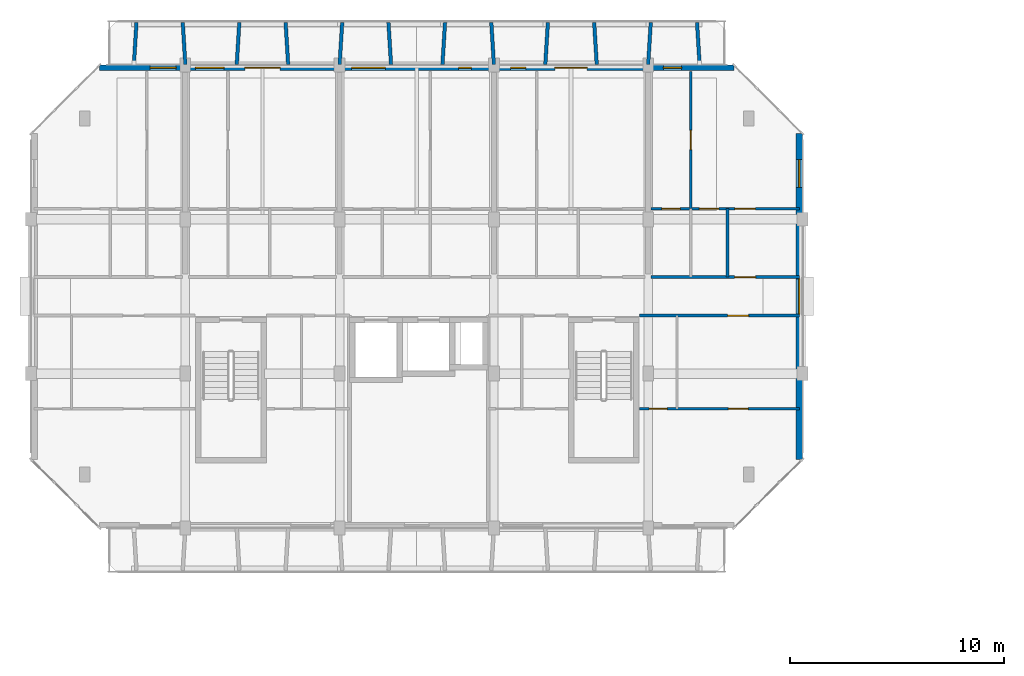
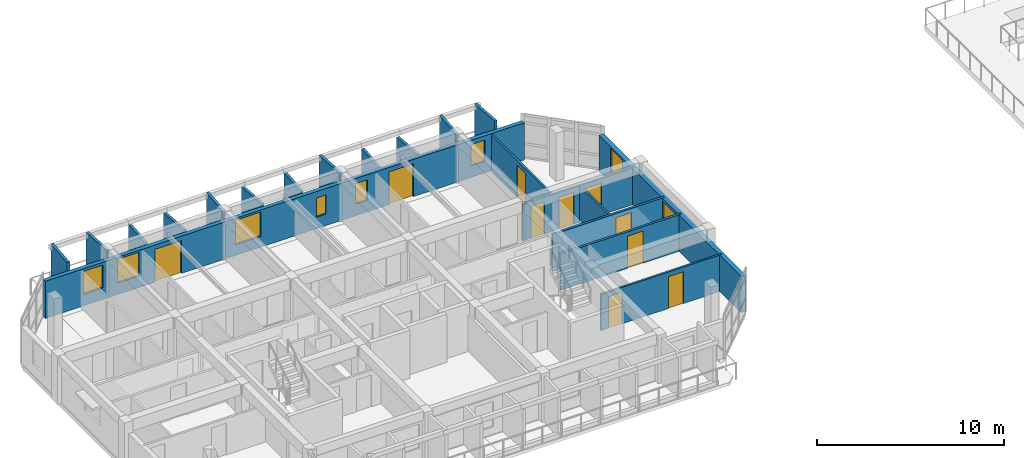
# One storey, part 38 of 64: 20 walls, 10 doors, 8 windows, 18 openings.
"""IFC4 building model written with IfcOpenShell, lengths in metres."""

from ifc_helpers import new_model, si_unit, direction, frame, frame_2d, origin, place, context, subcontext, project, spatial, rectangle, extrude, material, layer, layer_set, type_object, element, fill, save


model = new_model("IFC4")

# Units and contexts
model_context = context("Model", 3, precision=1e-05, world=origin(), true_north=direction((0.0, 1.0)))
body_context = subcontext(model_context, "Body", "Model", "MODEL_VIEW")
ifc_project = project(units=[si_unit("LENGTHUNIT", "METRE"), si_unit("AREAUNIT", "SQUARE_METRE"), si_unit("VOLUMEUNIT", "CUBIC_METRE"), si_unit("PLANEANGLEUNIT", "RADIAN"), si_unit("MASSUNIT", "GRAM", prefix="KILO")], contexts=[model_context])

# Site, building, storey
site_placement = place(None, origin())
site = spatial("IfcSite", under=ifc_project, at=site_placement, CompositionType="ELEMENT")
building_placement = place(site_placement, origin())
building = spatial("IfcBuilding", under=site, at=building_placement, Name="Ochrevale Crest", CompositionType="ELEMENT")
storey_placement = place(building_placement, frame((0.0, 0.0, 8.699951171875)))
storey = spatial("IfcBuildingStorey", under=building, at=storey_placement, Name="L02", CompositionType="ELEMENT", Elevation=8.699951171875)

# Wall, opening, door
ifc_material_1 = material(Name="Gypsum plasterboard", Category="gypsum")
ifc_layer_1 = layer(ifc_material_1, 0.139892578125)
ifc_layer_set_1 = layer_set([ifc_layer_1], Name="Gypsum plasterboard")
wall_type_1 = type_object("IfcWallType", Name="WL-COR-140", PredefinedType="PARTITIONING", material=ifc_layer_set_1)
wall_1_placement = place(storey_placement, frame((28.93994140625, 83.699951171875, 0.0), z_axis=(0.0, 0.0, 1.0), x_axis=(1.0, 0.0, 0.0)))
wall_1 = element("IfcWall", 1, at=wall_1_placement, inside=storey, type_object=wall_type_1, Name="Apartment B-L02-U5 corridor wall", PredefinedType="PARTITIONING", context=body_context, shape_type="SweptSolid", body=[
    extrude(rectangle(XDim=6.920166015625, YDim=0.139892578125, at=frame_2d((3.4599609375, 0.0))), origin(), (0.0, 0.0, 1.0), 2.380126953125),
])
opening_1_placement = place(wall_1_placement, frame((3.89501953125, 0.0, 0.0)))
opening_1 = element("IfcOpeningElement", 2, at=opening_1_placement, cuts=wall_1, Name="Opening FD01", PredefinedType="OPENING", context=body_context, shape_type="SweptSolid", body=[
    extrude(rectangle(XDim=0.97998046875, YDim=2.10009765625, at=frame_2d((0.489990234375, 1.050048828125))), frame((0.0, 0.080078125, 0.0), z_axis=(0.0, -1.0, 0.0), x_axis=(1.0, 0.0, 0.0)), (0.0, 0.0, 1.0), 0.159912109375),
])
ifc_material_2 = material(Name="Solid-core FSC hardwood", Category="wood")
door_type_1 = type_object("IfcDoorType", Name="DR-APT-950", OperationType="NOTDEFINED", PredefinedType="DOOR", material=ifc_material_2)
door_1_placement = place(opening_1_placement, origin())
door_1 = element("IfcDoor", 3, at=door_1_placement, inside=storey, type_object=door_type_1, Name="Apartment B-L02-U5 entrance door", OperationType="SINGLE_SWING_LEFT", OverallHeight=2.10009765625, OverallWidth=0.97998046875, PredefinedType="DOOR", context=body_context, shape_type="SweptSolid", body=[
    extrude(rectangle(XDim=0.97998046875, YDim=2.10009765625, at=frame_2d((0.489990234375, 1.050048828125))), frame((0.0, 0.02490234375, 0.0), z_axis=(0.0, -1.0, 0.0), x_axis=(1.0, 0.0, 0.0)), (0.0, 0.0, 1.0), 0.050048828125),
])
fill(opening_1, door_1)

wall_2_placement = place(storey_placement, frame((28.389892578125, 81.89990234375, 0.0), z_axis=(0.0, 0.0, 1.0), x_axis=(1.0, 0.0, 0.0)))
wall_2 = element("IfcWall", 4, at=wall_2_placement, inside=storey, type_object=wall_type_1, Name="Suite B-L02-CE corridor wall", PredefinedType="PARTITIONING", context=body_context, shape_type="SweptSolid", body=[
    extrude(rectangle(XDim=7.47021484375, YDim=0.139892578125, at=frame_2d((3.735107421875, 0.0))), origin(), (0.0, 0.0, 1.0), 2.380126953125),
])
opening_2_placement = place(wall_2_placement, frame((4.1201171875, 0.0, 0.0)))
opening_2 = element("IfcOpeningElement", 5, at=opening_2_placement, cuts=wall_2, Name="Opening FD01", PredefinedType="OPENING", context=body_context, shape_type="SweptSolid", body=[
    extrude(rectangle(XDim=0.97998046875, YDim=2.10009765625, at=frame_2d((0.489990234375, 1.050048828125))), frame((0.0, 0.080078125, 0.0), z_axis=(0.0, -1.0, 0.0), x_axis=(1.0, 0.0, 0.0)), (0.0, 0.0, 1.0), 0.159912109375),
])
door_2_placement = place(opening_2_placement, origin())
door_2 = element("IfcDoor", 6, at=door_2_placement, inside=storey, type_object=door_type_1, Name="Suite B-L02-CE entrance door", OperationType="SINGLE_SWING_LEFT", OverallHeight=2.10009765625, OverallWidth=0.97998046875, PredefinedType="DOOR", context=body_context, shape_type="SweptSolid", body=[
    extrude(rectangle(XDim=0.97998046875, YDim=2.10009765625, at=frame_2d((0.489990234375, 1.050048828125))), frame((0.0, 0.02490234375, 0.0), z_axis=(0.0, -1.0, 0.0), x_axis=(1.0, 0.0, 0.0)), (0.0, 0.0, 1.0), 0.050048828125),
])
fill(opening_2, door_2)

# Wall, openings, windows
ifc_material_3 = material(Name="Clay face brickwork", Category="masonry")
ifc_layer_2 = layer(ifc_material_3, 0.2900390625)
ifc_layer_set_2 = layer_set([ifc_layer_2], Name="Clay face brickwork")
wall_type_2 = type_object("IfcWallType", Name="WL-EXT-BRICK-290", PredefinedType="SOLIDWALL", material=ifc_layer_set_2)
wall_3_placement = place(storey_placement, frame((35.85498046875, 75.199951171875, 0.0), z_axis=(0.0, 0.0, 1.0), x_axis=(0.0, 1.0, 0.0)))
wall_3 = element("IfcWall", 7, at=wall_3_placement, inside=storey, type_object=wall_type_2, Name="Block B L02 external facade wall E3", PredefinedType="SOLIDWALL", context=body_context, shape_type="SweptSolid", body=[
    extrude(rectangle(XDim=15.199951171875, YDim=0.2900390625, at=frame_2d((7.60009765625, 0.0))), origin(), (0.0, 0.0, 1.0), 2.380126953125),
])
opening_3_placement = place(wall_3_placement, frame((6.77490234375, 0.0, 1.050048828125)))
opening_3 = element("IfcOpeningElement", 8, at=opening_3_placement, cuts=wall_3, Name="Opening W19", PredefinedType="OPENING", context=body_context, shape_type="SweptSolid", body=[
    extrude(rectangle(XDim=1.64990234375, YDim=1.14990234375, at=frame_2d((0.824951171875, 0.574951171875))), frame((0.0, 0.155029296875, 0.0), z_axis=(0.0, -1.0, 0.0), x_axis=(1.0, 0.0, 0.0)), (0.0, 0.0, 1.0), 0.31005859375),
])
opening_4_placement = place(wall_3_placement, frame((12.68505859375, 0.0, 0.719970703125)))
opening_4 = element("IfcOpeningElement", 9, at=opening_4_placement, cuts=wall_3, Name="Opening W30", PredefinedType="OPENING", context=body_context, shape_type="SweptSolid", body=[
    extrude(rectangle(XDim=1.300048828125, YDim=1.550048828125, at=frame_2d((0.64990234375, 0.77490234375))), frame((0.0, 0.155029296875, 0.0), z_axis=(0.0, -1.0, 0.0), x_axis=(1.0, 0.0, 0.0)), (0.0, 0.0, 1.0), 0.31005859375),
])
ifc_material_4 = material(Name="Anodised aluminium 6063-T5 and low-E double glazing", Category="aluminium")
window_type_1 = type_object("IfcWindowType", Name="WIN-W19", PartitioningType="SINGLE_PANEL", PredefinedType="WINDOW", material=ifc_material_4)
window_1_placement = place(opening_3_placement, origin())
window_1 = element("IfcWindow", 10, at=window_1_placement, inside=storey, type_object=window_type_1, Name="Block B L02 corridor end daylight window E", OverallHeight=1.14990234375, OverallWidth=1.64990234375, PartitioningType="SINGLE_PANEL", PredefinedType="WINDOW", context=body_context, shape_type="SweptSolid", body=[
    extrude(rectangle(XDim=1.64990234375, YDim=1.14990234375, at=frame_2d((0.824951171875, 0.574951171875))), frame((0.0, 0.030029296875, 0.0), z_axis=(0.0, -1.0, 0.0), x_axis=(1.0, 0.0, 0.0)), (0.0, 0.0, 1.0), 0.06005859375),
])
fill(opening_3, window_1)
window_type_2 = type_object("IfcWindowType", Name="WIN-W30", PartitioningType="SINGLE_PANEL", PredefinedType="WINDOW", material=ifc_material_4)
window_2_placement = place(opening_4_placement, origin())
window_2 = element("IfcWindow", 11, at=window_2_placement, inside=storey, type_object=window_type_2, Name="Block B L02 side suite window E", OverallHeight=1.550048828125, OverallWidth=1.300048828125, PartitioningType="SINGLE_PANEL", PredefinedType="WINDOW", context=body_context, shape_type="SweptSolid", body=[
    extrude(rectangle(XDim=1.300048828125, YDim=1.550048828125, at=frame_2d((0.64990234375, 0.77490234375))), frame((0.0, 0.030029296875, 0.0), z_axis=(0.0, -1.0, 0.0), x_axis=(1.0, 0.0, 0.0)), (0.0, 0.0, 1.0), 0.06005859375),
])
fill(opening_4, window_2)

# Wall, openings, doors, windows
ifc_material_5 = material(Name="Precast concrete C40/50", Category="concrete")
ifc_layer_3 = layer(ifc_material_5, 0.25)
ifc_layer_set_3 = layer_set([ifc_layer_3], Name="Precast concrete C40/50")
wall_type_3 = type_object("IfcWallType", Name="WL-EXT-GOLD-250", PredefinedType="SOLIDWALL", material=ifc_layer_set_3)
wall_4_placement = place(storey_placement, frame((32.800048828125, 93.47509765625, 0.0), z_axis=(0.0, 0.0, 1.0), x_axis=(-1.0, 0.0, 0.0)))
wall_4 = element("IfcWall", 12, at=wall_4_placement, inside=storey, type_object=wall_type_3, Name="Block B L02 external facade wall E5", PredefinedType="SOLIDWALL", context=body_context, shape_type="SweptSolid", body=[
    extrude(rectangle(XDim=29.60009765625, YDim=0.25, at=frame_2d((14.800048828125, 0.0))), origin(), (0.0, 0.0, 1.0), 2.429931640625),
])
opening_5_placement = place(wall_4_placement, frame((22.824951171875, 0.0, 0.0), z_axis=(0.0, 0.0, 1.0), x_axis=(-1.0, 0.0, 0.0)))
opening_5 = element("IfcOpeningElement", 13, at=opening_5_placement, cuts=wall_4, Name="Opening BD02", PredefinedType="OPENING", context=body_context, shape_type="SweptSolid", body=[
    extrude(rectangle(XDim=1.64990234375, YDim=2.14990234375, at=frame_2d((0.824951171875, 1.074951171875))), frame((0.0, 0.135009765625, 0.0), z_axis=(0.0, -1.0, 0.0), x_axis=(1.0, 0.0, 0.0)), (0.0, 0.0, 1.0), 0.27001953125),
])
opening_6_placement = place(wall_4_placement, frame((8.35009765625, 0.0, 0.0), z_axis=(0.0, 0.0, 1.0), x_axis=(-1.0, 0.0, 0.0)))
opening_6 = element("IfcOpeningElement", 14, at=opening_6_placement, cuts=wall_4, Name="Opening BD01", PredefinedType="OPENING", context=body_context, shape_type="SweptSolid", body=[
    extrude(rectangle(XDim=1.5, YDim=2.14990234375, at=frame_2d((0.75, 1.074951171875))), frame((0.0, 0.135009765625, 0.0), z_axis=(0.0, -1.0, 0.0), x_axis=(1.0, 0.0, 0.0)), (0.0, 0.0, 1.0), 0.27001953125),
])
opening_7_placement = place(wall_4_placement, frame((26.02490234375, 0.0, 0.75)))
opening_7 = element("IfcOpeningElement", 15, at=opening_7_placement, cuts=wall_4, Name="Opening W06", PredefinedType="OPENING", context=body_context, shape_type="SweptSolid", body=[
    extrude(rectangle(XDim=1.219970703125, YDim=1.5, at=frame_2d((0.60986328125, 0.75))), frame((0.0, 0.135009765625, 0.0), z_axis=(0.0, -1.0, 0.0), x_axis=(1.0, 0.0, 0.0)), (0.0, 0.0, 1.0), 0.27001953125),
])
opening_8_placement = place(wall_4_placement, frame((23.794921875, 0.0, 0.75)))
opening_8 = element("IfcOpeningElement", 16, at=opening_8_placement, cuts=wall_4, Name="Opening W07", PredefinedType="OPENING", context=body_context, shape_type="SweptSolid", body=[
    extrude(rectangle(XDim=1.340087890625, YDim=1.550048828125, at=frame_2d((0.669921875, 0.77490234375))), frame((0.0, 0.135009765625, 0.0), z_axis=(0.0, -1.0, 0.0), x_axis=(1.0, 0.0, 0.0)), (0.0, 0.0, 1.0), 0.27001953125),
])
opening_9_placement = place(wall_4_placement, frame((16.264892578125, 0.0, 0.699951171875)))
opening_9 = element("IfcOpeningElement", 17, at=opening_9_placement, cuts=wall_4, Name="Opening W09", PredefinedType="OPENING", context=body_context, shape_type="SweptSolid", body=[
    extrude(rectangle(XDim=1.580078125, YDim=1.60009765625, at=frame_2d((0.7900390625, 0.800048828125))), frame((0.0, 0.135009765625, 0.0), z_axis=(0.0, -1.0, 0.0), x_axis=(1.0, 0.0, 0.0)), (0.0, 0.0, 1.0), 0.27001953125),
])
opening_10_placement = place(wall_4_placement, frame((12.2451171875, 0.0, 0.75)))
opening_10 = element("IfcOpeningElement", 18, at=opening_10_placement, cuts=wall_4, Name="Opening W01", PredefinedType="OPENING", context=body_context, shape_type="SweptSolid", body=[
    extrude(rectangle(XDim=0.60009765625, YDim=1.25, at=frame_2d((0.300048828125, 0.625))), frame((0.0, 0.135009765625, 0.0), z_axis=(0.0, -1.0, 0.0), x_axis=(1.0, 0.0, 0.0)), (0.0, 0.0, 1.0), 0.27001953125),
])
opening_11_placement = place(wall_4_placement, frame((9.705078125, 0.0, 0.75)))
opening_11 = element("IfcOpeningElement", 19, at=opening_11_placement, cuts=wall_4, Name="Opening W02", PredefinedType="OPENING", context=body_context, shape_type="SweptSolid", body=[
    extrude(rectangle(XDim=0.719970703125, YDim=1.35009765625, at=frame_2d((0.35986328125, 0.675048828125))), frame((0.0, 0.135009765625, 0.0), z_axis=(0.0, -1.0, 0.0), x_axis=(1.0, 0.0, 0.0)), (0.0, 0.0, 1.0), 0.27001953125),
])
opening_12_placement = place(wall_4_placement, frame((2.43994140625, 0.0, 0.75)))
opening_12 = element("IfcOpeningElement", 20, at=opening_12_placement, cuts=wall_4, Name="Opening W03", PredefinedType="OPENING", context=body_context, shape_type="SweptSolid", body=[
    extrude(rectangle(XDim=0.85009765625, YDim=1.39990234375, at=frame_2d((0.425048828125, 0.699951171875))), frame((0.0, 0.135009765625, 0.0), z_axis=(0.0, -1.0, 0.0), x_axis=(1.0, 0.0, 0.0)), (0.0, 0.0, 1.0), 0.27001953125),
])
ifc_material_6 = material(Name="Anodised aluminium 6063-T5 and toughened glass", Category="aluminium")
door_type_2 = type_object("IfcDoorType", Name="DR-BAL-1500", OperationType="NOTDEFINED", PredefinedType="DOOR", material=ifc_material_6)
door_3_placement = place(opening_6_placement, origin())
door_3 = element("IfcDoor", 21, at=door_3_placement, inside=storey, type_object=door_type_2, Name="Block B L02 balcony door N4", OperationType="SINGLE_SWING_LEFT", OverallHeight=2.14990234375, OverallWidth=1.5, PredefinedType="DOOR", context=body_context, shape_type="SweptSolid", body=[
    extrude(rectangle(XDim=1.5, YDim=2.14990234375, at=frame_2d((0.75, 1.074951171875))), frame((0.0, 0.02490234375, 0.0), z_axis=(0.0, -1.0, 0.0), x_axis=(1.0, 0.0, 0.0)), (0.0, 0.0, 1.0), 0.050048828125),
])
fill(opening_6, door_3)
door_type_3 = type_object("IfcDoorType", Name="DR-BAL-1650", OperationType="NOTDEFINED", PredefinedType="DOOR", material=ifc_material_6)
door_4_placement = place(opening_5_placement, origin())
door_4 = element("IfcDoor", 22, at=door_4_placement, inside=storey, type_object=door_type_3, Name="Block B L02 balcony door N2", OperationType="SINGLE_SWING_RIGHT", OverallHeight=2.14990234375, OverallWidth=1.64990234375, PredefinedType="DOOR", context=body_context, shape_type="SweptSolid", body=[
    extrude(rectangle(XDim=1.64990234375, YDim=2.14990234375, at=frame_2d((0.824951171875, 1.074951171875))), frame((0.0, 0.02490234375, 0.0), z_axis=(0.0, -1.0, 0.0), x_axis=(1.0, 0.0, 0.0)), (0.0, 0.0, 1.0), 0.050048828125),
])
fill(opening_5, door_4)
window_type_3 = type_object("IfcWindowType", Name="WIN-W01", PartitioningType="SINGLE_PANEL", PredefinedType="WINDOW", material=ifc_material_4)
window_3_placement = place(opening_10_placement, origin())
window_3 = element("IfcWindow", 23, at=window_3_placement, inside=storey, type_object=window_type_3, Name="Block B L02 Apartment B-L02-U3 Three Bedroom Family Living window", OverallHeight=1.25, OverallWidth=0.60009765625, PartitioningType="SINGLE_PANEL", PredefinedType="WINDOW", context=body_context, shape_type="SweptSolid", body=[
    extrude(rectangle(XDim=0.60009765625, YDim=1.25, at=frame_2d((0.300048828125, 0.625))), frame((0.0, 0.030029296875, 0.0), z_axis=(0.0, -1.0, 0.0), x_axis=(1.0, 0.0, 0.0)), (0.0, 0.0, 1.0), 0.06005859375),
])
fill(opening_10, window_3)
window_type_4 = type_object("IfcWindowType", Name="WIN-W02", PartitioningType="SINGLE_PANEL", PredefinedType="WINDOW", material=ifc_material_4)
window_4_placement = place(opening_11_placement, origin())
window_4 = element("IfcWindow", 24, at=window_4_placement, inside=storey, type_object=window_type_4, Name="Block B L02 Apartment B-L02-U4 Double Bedroom window", OverallHeight=1.35009765625, OverallWidth=0.719970703125, PartitioningType="SINGLE_PANEL", PredefinedType="WINDOW", context=body_context, shape_type="SweptSolid", body=[
    extrude(rectangle(XDim=0.719970703125, YDim=1.35009765625, at=frame_2d((0.35986328125, 0.675048828125))), frame((0.0, 0.030029296875, 0.0), z_axis=(0.0, -1.0, 0.0), x_axis=(1.0, 0.0, 0.0)), (0.0, 0.0, 1.0), 0.06005859375),
])
fill(opening_11, window_4)
window_type_5 = type_object("IfcWindowType", Name="WIN-W03", PartitioningType="SINGLE_PANEL", PredefinedType="WINDOW", material=ifc_material_4)
window_5_placement = place(opening_12_placement, origin())
window_5 = element("IfcWindow", 25, at=window_5_placement, inside=storey, type_object=window_type_5, Name="Block B L02 Apartment B-L02-U5 Master Bedroom window", OverallHeight=1.39990234375, OverallWidth=0.85009765625, PartitioningType="SINGLE_PANEL", PredefinedType="WINDOW", context=body_context, shape_type="SweptSolid", body=[
    extrude(rectangle(XDim=0.85009765625, YDim=1.39990234375, at=frame_2d((0.425048828125, 0.699951171875))), frame((0.0, 0.030029296875, 0.0), z_axis=(0.0, -1.0, 0.0), x_axis=(1.0, 0.0, 0.0)), (0.0, 0.0, 1.0), 0.06005859375),
])
fill(opening_12, window_5)
window_type_6 = type_object("IfcWindowType", Name="WIN-W06", PartitioningType="SINGLE_PANEL", PredefinedType="WINDOW", material=ifc_material_4)
window_6_placement = place(opening_7_placement, origin())
window_6 = element("IfcWindow", 26, at=window_6_placement, inside=storey, type_object=window_type_6, Name="Block B L02 Apartment B-L02-U1 Two Bedroom Living Room window", OverallHeight=1.5, OverallWidth=1.219970703125, PartitioningType="SINGLE_PANEL", PredefinedType="WINDOW", context=body_context, shape_type="SweptSolid", body=[
    extrude(rectangle(XDim=1.219970703125, YDim=1.5, at=frame_2d((0.60986328125, 0.75))), frame((0.0, 0.030029296875, 0.0), z_axis=(0.0, -1.0, 0.0), x_axis=(1.0, 0.0, 0.0)), (0.0, 0.0, 1.0), 0.06005859375),
])
fill(opening_7, window_6)
window_type_7 = type_object("IfcWindowType", Name="WIN-W07", PartitioningType="SINGLE_PANEL", PredefinedType="WINDOW", material=ifc_material_4)
window_7_placement = place(opening_8_placement, origin())
window_7 = element("IfcWindow", 27, at=window_7_placement, inside=storey, type_object=window_type_7, Name="Block B L02 Apartment B-L02-U2 Master Bedroom window", OverallHeight=1.550048828125, OverallWidth=1.340087890625, PartitioningType="SINGLE_PANEL", PredefinedType="WINDOW", context=body_context, shape_type="SweptSolid", body=[
    extrude(rectangle(XDim=1.340087890625, YDim=1.550048828125, at=frame_2d((0.669921875, 0.77490234375))), frame((0.0, 0.030029296875, 0.0), z_axis=(0.0, -1.0, 0.0), x_axis=(1.0, 0.0, 0.0)), (0.0, 0.0, 1.0), 0.06005859375),
])
fill(opening_8, window_7)
window_type_8 = type_object("IfcWindowType", Name="WIN-W09", PartitioningType="SINGLE_PANEL", PredefinedType="WINDOW", material=ifc_material_4)
window_8_placement = place(opening_9_placement, origin())
window_8 = element("IfcWindow", 28, at=window_8_placement, inside=storey, type_object=window_type_8, Name="Block B L02 Apartment B-L02-U3 Twin Bedroom window", OverallHeight=1.60009765625, OverallWidth=1.580078125, PartitioningType="SINGLE_PANEL", PredefinedType="WINDOW", context=body_context, shape_type="SweptSolid", body=[
    extrude(rectangle(XDim=1.580078125, YDim=1.60009765625, at=frame_2d((0.7900390625, 0.800048828125))), frame((0.0, 0.030029296875, 0.0), z_axis=(0.0, -1.0, 0.0), x_axis=(1.0, 0.0, 0.0)), (0.0, 0.0, 1.0), 0.06005859375),
])
fill(opening_9, window_8)

# Walls
ifc_layer_4 = layer(ifc_material_5, 0.1650390625)
ifc_layer_set_4 = layer_set([ifc_layer_4], Name="Precast concrete C40/50")
wall_type_4 = type_object("IfcWallType", Name="WL-HC-CHEEK-165", PredefinedType="ELEMENTEDWALL", material=ifc_layer_set_4)
for number, where, z_axis, x_axis, name in (
    (29, (4.800048828125, 93.6201171875, 0.0), (0.0, 0.0, 1.0), (0.061046865508, 0.998134900808, 0.0), "Block B L02 N precast honeycomb cheek 1"),
    (30, (7.199951171875, 93.6201171875, 0.0), (0.0, 0.0, 1.0), (-0.061046865508, 0.998134900808, 0.0), "Block B L02 N precast honeycomb cheek 2"),
):
    element("IfcWall", number, at=place(storey_placement, frame(where, z_axis=z_axis, x_axis=x_axis)), inside=storey, type_object=wall_type_4, Name=name, PredefinedType="ELEMENTEDWALL", context=body_context, shape_type="SweptSolid", body=[
        extrude(rectangle(XDim=1.963623046875, YDim=0.1650390625, at=frame_2d((0.98193359375, 0.0))), origin(), (0.0, 0.0, 1.0), 2.949951171875),
    ])
for number, where, z_axis, x_axis, name in (
    (31, (9.60009765625, 93.6201171875, 0.0), (0.0, 0.0, 1.0), (0.061046865508, 0.998134900808, 0.0), "Block B L02 N precast honeycomb cheek 3"),
    (32, (12.0, 93.6201171875, 0.0), (0.0, 0.0, 1.0), (-0.061170732449, 0.998127317276, 0.0), "Block B L02 N precast honeycomb cheek 4"),
):
    element("IfcWall", number, at=place(storey_placement, frame(where, z_axis=z_axis, x_axis=x_axis)), inside=storey, type_object=wall_type_4, Name=name, PredefinedType="ELEMENTEDWALL", context=body_context, shape_type="SweptSolid", body=[
        extrude(rectangle(XDim=1.963623046875, YDim=0.1650390625, at=frame_2d((0.98193359375, 0.0))), origin(), (0.0, 0.0, 1.0), 2.550048828125),
    ])
wall_5_placement = place(storey_placement, frame((14.39990234375, 93.6201171875, 0.0), z_axis=(0.0, 0.0, 1.0), x_axis=(0.061170732449, 0.998127317276, 0.0)))
element("IfcWall", 33, at=wall_5_placement, inside=storey, type_object=wall_type_4, Name="Block B L02 N precast honeycomb cheek 5", PredefinedType="ELEMENTEDWALL", context=body_context, shape_type="SweptSolid", body=[
    extrude(rectangle(XDim=1.963623046875, YDim=0.1650390625, at=frame_2d((0.98193359375, 0.0))), origin(), (0.0, 0.0, 1.0), 2.949951171875),
])
for number, where, z_axis, x_axis, name in (
    (34, (16.800048828125, 93.6201171875, 0.0), (0.0, 0.0, 1.0), (-0.061170732449, 0.998127317276, 0.0), "Block B L02 N precast honeycomb cheek 6"),
    (35, (19.199951171875, 93.6201171875, 0.0), (0.0, 0.0, 1.0), (0.061170732449, 0.998127317276, 0.0), "Block B L02 N precast honeycomb cheek 7"),
):
    element("IfcWall", number, at=place(storey_placement, frame(where, z_axis=z_axis, x_axis=x_axis)), inside=storey, type_object=wall_type_4, Name=name, PredefinedType="ELEMENTEDWALL", context=body_context, shape_type="SweptSolid", body=[
        extrude(rectangle(XDim=1.963623046875, YDim=0.1650390625, at=frame_2d((0.98193359375, 0.0))), origin(), (0.0, 0.0, 1.0), 2.580078125),
    ])
wall_6_placement = place(storey_placement, frame((21.60009765625, 93.6201171875, 0.0), z_axis=(0.0, 0.0, 1.0), x_axis=(-0.061170732449, 0.998127317276, 0.0)))
element("IfcWall", 36, at=wall_6_placement, inside=storey, type_object=wall_type_4, Name="Block B L02 N precast honeycomb cheek 8", PredefinedType="ELEMENTEDWALL", context=body_context, shape_type="SweptSolid", body=[
    extrude(rectangle(XDim=1.963623046875, YDim=0.1650390625, at=frame_2d((0.98193359375, 0.0))), origin(), (0.0, 0.0, 1.0), 2.949951171875),
])
for number, where, z_axis, x_axis, name in (
    (37, (24.0, 93.6201171875, 0.0), (0.0, 0.0, 1.0), (0.061170732449, 0.998127317276, 0.0), "Block B L02 N precast honeycomb cheek 9"),
    (38, (26.39990234375, 93.6201171875, 0.0), (0.0, 0.0, 1.0), (-0.061046865508, 0.998134900808, 0.0), "Block B L02 N precast honeycomb cheek 10"),
):
    element("IfcWall", number, at=place(storey_placement, frame(where, z_axis=z_axis, x_axis=x_axis)), inside=storey, type_object=wall_type_4, Name=name, PredefinedType="ELEMENTEDWALL", context=body_context, shape_type="SweptSolid", body=[
        extrude(rectangle(XDim=1.963623046875, YDim=0.1650390625, at=frame_2d((0.98193359375, 0.0))), origin(), (0.0, 0.0, 1.0), 2.449951171875),
    ])
for number, where, z_axis, x_axis, name in (
    (39, (28.800048828125, 93.6201171875, 0.0), (0.0, 0.0, 1.0), (0.061046865508, 0.998134900808, 0.0), "Block B L02 N precast honeycomb cheek 11"),
    (40, (31.199951171875, 93.6201171875, 0.0), (0.0, 0.0, 1.0), (-0.061046865508, 0.998134900808, 0.0), "Block B L02 N precast honeycomb cheek 12"),
):
    element("IfcWall", number, at=place(storey_placement, frame(where, z_axis=z_axis, x_axis=x_axis)), inside=storey, type_object=wall_type_4, Name=name, PredefinedType="ELEMENTEDWALL", context=body_context, shape_type="SweptSolid", body=[
        extrude(rectangle(XDim=1.963623046875, YDim=0.1650390625, at=frame_2d((0.98193359375, 0.0))), origin(), (0.0, 0.0, 1.0), 2.949951171875),
    ])
ifc_layer_5 = layer(ifc_material_1, 0.1201171875)
ifc_layer_set_5 = layer_set([ifc_layer_5], Name="Gypsum plasterboard")
wall_type_5 = type_object("IfcWallType", Name="WL-PART-120", PredefinedType="PARTITIONING", material=ifc_layer_set_5)
wall_7_placement = place(storey_placement, frame((32.5, 83.699951171875, 0.0), z_axis=(0.0, 0.0, 1.0), x_axis=(0.0, 1.0, 0.0)))
element("IfcWall", 41, at=wall_7_placement, inside=storey, type_object=wall_type_5, Name="Apartment B-L02-U5 kitchen-foyer wall", PredefinedType="PARTITIONING", context=body_context, shape_type="SweptSolid", body=[
    extrude(rectangle(XDim=3.199951171875, YDim=0.1201171875, at=frame_2d((1.60009765625, 0.0))), origin(), (0.0, 0.0, 1.0), 2.375),
])

# Wall, openings, doors
wall_8_placement = place(storey_placement, frame((28.93994140625, 86.89990234375, 0.0), z_axis=(0.0, 0.0, 1.0), x_axis=(1.0, 0.0, 0.0)))
wall_8 = element("IfcWall", 42, at=wall_8_placement, inside=storey, type_object=wall_type_5, Name="Apartment B-L02-U5 central partition", PredefinedType="PARTITIONING", context=body_context, shape_type="SweptSolid", body=[
    extrude(rectangle(XDim=6.920166015625, YDim=0.1201171875, at=frame_2d((3.4599609375, 0.0))), origin(), (0.0, 0.0, 1.0), 2.380126953125),
])
opening_13_placement = place(wall_8_placement, frame((1.35009765625, 0.0, 0.0), z_axis=(0.0, 0.0, 1.0), x_axis=(-1.0, 0.0, 0.0)))
opening_13 = element("IfcOpeningElement", 43, at=opening_13_placement, cuts=wall_8, Name="Opening ID01", PredefinedType="OPENING", context=body_context, shape_type="SweptSolid", body=[
    extrude(rectangle(XDim=0.85009765625, YDim=2.080078125, at=frame_2d((0.425048828125, 1.0400390625))), frame((0.0, 0.070068359375, 0.0), z_axis=(0.0, -1.0, 0.0), x_axis=(1.0, 0.0, 0.0)), (0.0, 0.0, 1.0), 0.14013671875),
])
opening_14_placement = place(wall_8_placement, frame((2.2548828125, 0.0, 0.0)))
opening_14 = element("IfcOpeningElement", 44, at=opening_14_placement, cuts=wall_8, Name="Opening ID02", PredefinedType="OPENING", context=body_context, shape_type="SweptSolid", body=[
    extrude(rectangle(XDim=0.89990234375, YDim=2.080078125, at=frame_2d((0.449951171875, 1.0400390625))), frame((0.0, 0.070068359375, 0.0), z_axis=(0.0, -1.0, 0.0), x_axis=(1.0, 0.0, 0.0)), (0.0, 0.0, 1.0), 0.14013671875),
])
opening_15_placement = place(wall_8_placement, frame((4.85986328125, 0.0, 0.0), z_axis=(0.0, 0.0, 1.0), x_axis=(-1.0, 0.0, 0.0)))
opening_15 = element("IfcOpeningElement", 45, at=opening_15_placement, cuts=wall_8, Name="Opening ID06", PredefinedType="OPENING", context=body_context, shape_type="SweptSolid", body=[
    extrude(rectangle(XDim=0.949951171875, YDim=2.080078125, at=frame_2d((0.47509765625, 1.0400390625))), frame((0.0, 0.070068359375, 0.0), z_axis=(0.0, -1.0, 0.0), x_axis=(1.0, 0.0, 0.0)), (0.0, 0.0, 1.0), 0.14013671875),
])
door_type_4 = type_object("IfcDoorType", Name="DR-INT-900", OperationType="NOTDEFINED", PredefinedType="DOOR", material=ifc_material_2)
door_5_placement = place(opening_14_placement, origin())
door_5 = element("IfcDoor", 46, at=door_5_placement, inside=storey, type_object=door_type_4, Name="Apartment B-L02-U5 Kitchen door", OperationType="SINGLE_SWING_LEFT", OverallHeight=2.080078125, OverallWidth=0.89990234375, PredefinedType="DOOR", context=body_context, shape_type="SweptSolid", body=[
    extrude(rectangle(XDim=0.89990234375, YDim=2.080078125, at=frame_2d((0.449951171875, 1.0400390625))), frame((0.0, 0.02490234375, 0.0), z_axis=(0.0, -1.0, 0.0), x_axis=(1.0, 0.0, 0.0)), (0.0, 0.0, 1.0), 0.050048828125),
])
fill(opening_14, door_5)
door_type_5 = type_object("IfcDoorType", Name="DR-INT-950", OperationType="NOTDEFINED", PredefinedType="DOOR", material=ifc_material_2)
door_6_placement = place(opening_15_placement, origin())
door_6 = element("IfcDoor", 47, at=door_6_placement, inside=storey, type_object=door_type_5, Name="Apartment B-L02-U5 Living Foyer door", OperationType="SINGLE_SWING_RIGHT", OverallHeight=2.080078125, OverallWidth=0.949951171875, PredefinedType="DOOR", context=body_context, shape_type="SweptSolid", body=[
    extrude(rectangle(XDim=0.949951171875, YDim=2.080078125, at=frame_2d((0.47509765625, 1.0400390625))), frame((0.0, 0.02490234375, 0.0), z_axis=(0.0, -1.0, 0.0), x_axis=(1.0, 0.0, 0.0)), (0.0, 0.0, 1.0), 0.050048828125),
])
fill(opening_15, door_6)
door_type_6 = type_object("IfcDoorType", Name="DR-WC-850", OperationType="NOTDEFINED", PredefinedType="DOOR", material=ifc_material_2)
door_7_placement = place(opening_13_placement, origin())
door_7 = element("IfcDoor", 48, at=door_7_placement, inside=storey, type_object=door_type_6, Name="Apartment B-L02-U5 Bathroom door", OperationType="SINGLE_SWING_RIGHT", OverallHeight=2.080078125, OverallWidth=0.85009765625, PredefinedType="DOOR", context=body_context, shape_type="SweptSolid", body=[
    extrude(rectangle(XDim=0.85009765625, YDim=2.080078125, at=frame_2d((0.425048828125, 1.0400390625))), frame((0.0, 0.02490234375, 0.0), z_axis=(0.0, -1.0, 0.0), x_axis=(1.0, 0.0, 0.0)), (0.0, 0.0, 1.0), 0.050048828125),
])
fill(opening_13, door_7)

# Wall, opening, door
wall_9_placement = place(storey_placement, frame((30.7900390625, 86.89990234375, 0.0), z_axis=(0.0, 0.0, 1.0), x_axis=(0.0, 1.0, 0.0)))
wall_9 = element("IfcWall", 49, at=wall_9_placement, inside=storey, type_object=wall_type_5, Name="Apartment B-L02-U5 bedroom partition", PredefinedType="PARTITIONING", context=body_context, shape_type="SweptSolid", body=[
    extrude(rectangle(XDim=6.400146484375, YDim=0.1201171875, at=frame_2d((3.2001953125, 0.0))), origin(), (0.0, 0.0, 1.0), 2.380126953125),
])
opening_16_placement = place(wall_9_placement, frame((2.75, 0.0, 0.0)))
opening_16 = element("IfcOpeningElement", 50, at=opening_16_placement, cuts=wall_9, Name="Opening ID02", PredefinedType="OPENING", context=body_context, shape_type="SweptSolid", body=[
    extrude(rectangle(XDim=0.89990234375, YDim=2.080078125, at=frame_2d((0.449951171875, 1.0400390625))), frame((0.0, 0.070068359375, 0.0), z_axis=(0.0, -1.0, 0.0), x_axis=(1.0, 0.0, 0.0)), (0.0, 0.0, 1.0), 0.14013671875),
])
door_8_placement = place(opening_16_placement, origin())
door_8 = element("IfcDoor", 51, at=door_8_placement, inside=storey, type_object=door_type_4, Name="Apartment B-L02-U5 Master Bedroom door", OperationType="SINGLE_SWING_LEFT", OverallHeight=2.080078125, OverallWidth=0.89990234375, PredefinedType="DOOR", context=body_context, shape_type="SweptSolid", body=[
    extrude(rectangle(XDim=0.89990234375, YDim=2.080078125, at=frame_2d((0.449951171875, 1.0400390625))), frame((0.0, 0.02490234375, 0.0), z_axis=(0.0, -1.0, 0.0), x_axis=(1.0, 0.0, 0.0)), (0.0, 0.0, 1.0), 0.050048828125),
])
fill(opening_16, door_8)

# Wall, openings, doors
wall_10_placement = place(storey_placement, frame((28.389892578125, 77.550048828125, 0.0), z_axis=(0.0, 0.0, 1.0), x_axis=(1.0, 0.0, 0.0)))
wall_10 = element("IfcWall", 52, at=wall_10_placement, inside=storey, type_object=wall_type_5, Name="Suite B-L02-CE internal wall", PredefinedType="PARTITIONING", context=body_context, shape_type="SweptSolid", body=[
    extrude(rectangle(XDim=7.47021484375, YDim=0.1201171875, at=frame_2d((3.735107421875, 0.0))), origin(), (0.0, 0.0, 1.0), 2.380126953125),
])
opening_17_placement = place(wall_10_placement, frame((1.300048828125, 0.0, 0.0), z_axis=(0.0, 0.0, 1.0), x_axis=(-1.0, 0.0, 0.0)))
opening_17 = element("IfcOpeningElement", 53, at=opening_17_placement, cuts=wall_10, Name="Opening ID01", PredefinedType="OPENING", context=body_context, shape_type="SweptSolid", body=[
    extrude(rectangle(XDim=0.85009765625, YDim=2.080078125, at=frame_2d((0.425048828125, 1.0400390625))), frame((0.0, 0.070068359375, 0.0), z_axis=(0.0, -1.0, 0.0), x_axis=(1.0, 0.0, 0.0)), (0.0, 0.0, 1.0), 0.14013671875),
])
opening_18_placement = place(wall_10_placement, frame((4.14990234375, 0.0, 0.0)))
opening_18 = element("IfcOpeningElement", 54, at=opening_18_placement, cuts=wall_10, Name="Opening ID04", PredefinedType="OPENING", context=body_context, shape_type="SweptSolid", body=[
    extrude(rectangle(XDim=0.919921875, YDim=2.080078125, at=frame_2d((0.4599609375, 1.0400390625))), frame((0.0, 0.070068359375, 0.0), z_axis=(0.0, -1.0, 0.0), x_axis=(1.0, 0.0, 0.0)), (0.0, 0.0, 1.0), 0.14013671875),
])
door_type_7 = type_object("IfcDoorType", Name="DR-INT-920", OperationType="NOTDEFINED", PredefinedType="DOOR", material=ifc_material_2)
door_9_placement = place(opening_18_placement, origin())
door_9 = element("IfcDoor", 55, at=door_9_placement, inside=storey, type_object=door_type_7, Name="Suite B-L02-CE Master Bedroom door", OperationType="SINGLE_SWING_LEFT", OverallHeight=2.080078125, OverallWidth=0.919921875, PredefinedType="DOOR", context=body_context, shape_type="SweptSolid", body=[
    extrude(rectangle(XDim=0.919921875, YDim=2.080078125, at=frame_2d((0.4599609375, 1.0400390625))), frame((0.0, 0.02490234375, 0.0), z_axis=(0.0, -1.0, 0.0), x_axis=(1.0, 0.0, 0.0)), (0.0, 0.0, 1.0), 0.050048828125),
])
fill(opening_18, door_9)
door_10_placement = place(opening_17_placement, origin())
door_10 = element("IfcDoor", 56, at=door_10_placement, inside=storey, type_object=door_type_6, Name="Suite B-L02-CE Bathroom door", OperationType="SINGLE_SWING_RIGHT", OverallHeight=2.080078125, OverallWidth=0.85009765625, PredefinedType="DOOR", context=body_context, shape_type="SweptSolid", body=[
    extrude(rectangle(XDim=0.85009765625, YDim=2.080078125, at=frame_2d((0.425048828125, 1.0400390625))), frame((0.0, 0.02490234375, 0.0), z_axis=(0.0, -1.0, 0.0), x_axis=(1.0, 0.0, 0.0)), (0.0, 0.0, 1.0), 0.050048828125),
])
fill(opening_17, door_10)

save(model, "model.ifc")
